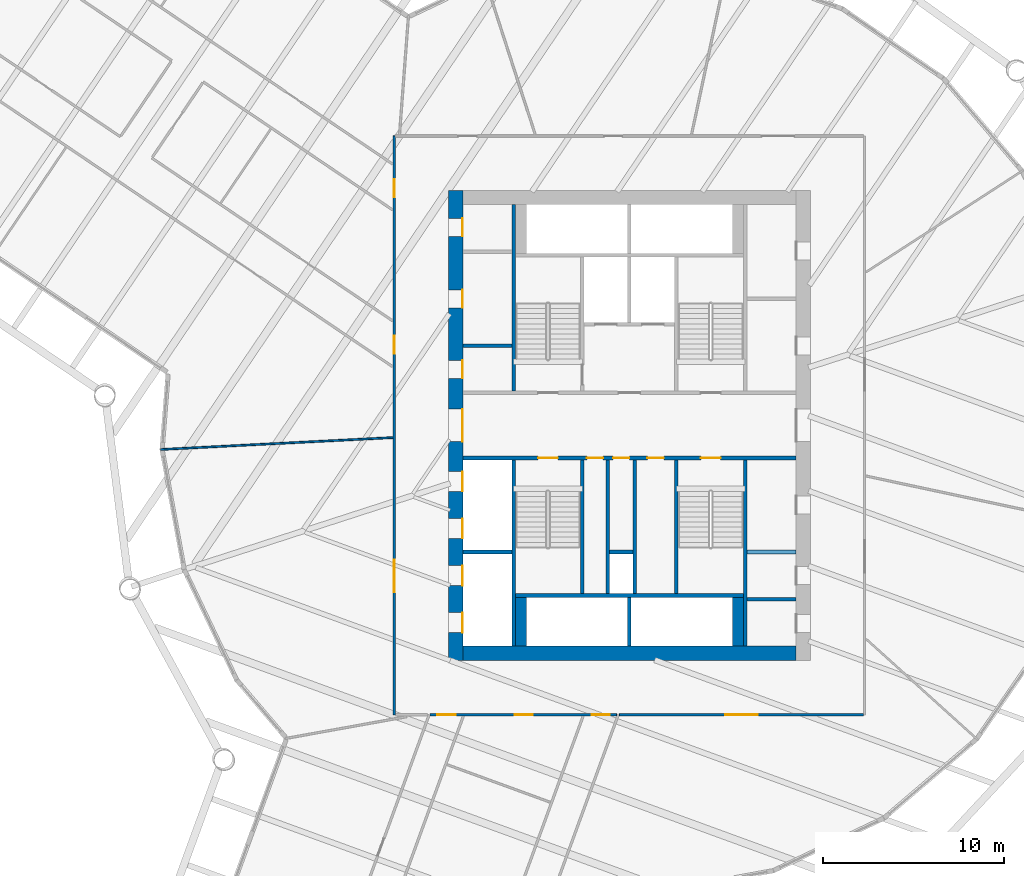
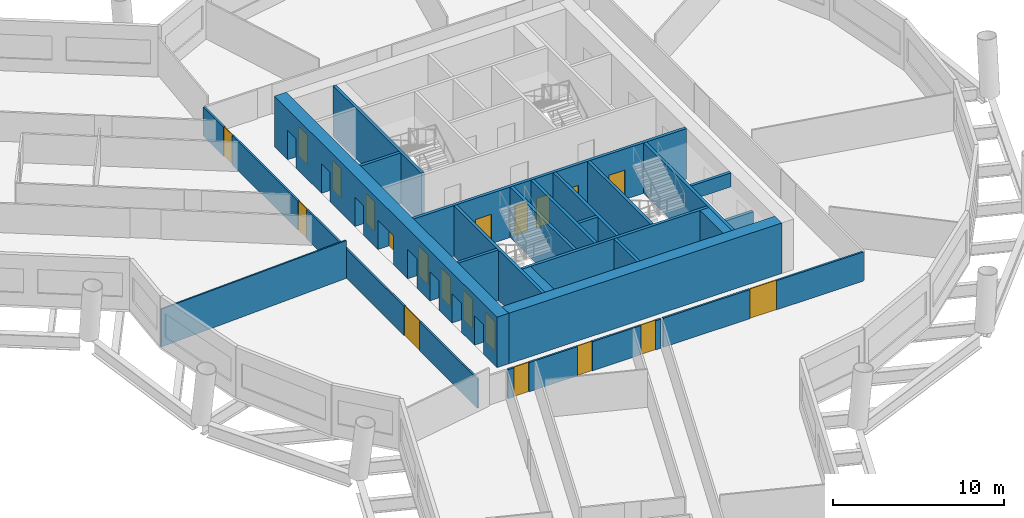
# One storey, part 4 of 13: 23 walls, 20 doors, 20 openings.
"""IFC4 building model written with IfcOpenShell, lengths in metres."""

from ifc_helpers import new_model, si_unit, direction, frame, frame_2d, origin, place, context, subcontext, project, spatial, rectangle, extrude, material, layer, layer_set, type_object, element, fill, save


model = new_model("IFC4")

# Units and contexts
model_context = context("Model", 3, precision=1e-05, world=origin(), true_north=direction((0.0, 1.0)))
body_context = subcontext(model_context, "Body", "Model", "MODEL_VIEW")
ifc_project = project(units=[si_unit("LENGTHUNIT", "METRE"), si_unit("AREAUNIT", "SQUARE_METRE"), si_unit("VOLUMEUNIT", "CUBIC_METRE"), si_unit("PLANEANGLEUNIT", "RADIAN"), si_unit("MASSUNIT", "GRAM", prefix="KILO")], contexts=[model_context])

# Site, building, storey
site_placement = place(None, origin())
site = spatial("IfcSite", under=ifc_project, at=site_placement, CompositionType="ELEMENT")
building_placement = place(site_placement, origin())
building = spatial("IfcBuilding", under=site, at=building_placement, Name="Tarsis Ring Headquarters", CompositionType="ELEMENT")
storey_placement = place(building_placement, frame((0.0, 0.0, 135.699951171875)))
storey = spatial("IfcBuildingStorey", under=building, at=storey_placement, Name="L31", CompositionType="ELEMENT", Elevation=135.699951171875)

# Walls
ifc_material_1 = material(Name="Blockwork", Category="masonry")
ifc_layer_1 = layer(ifc_material_1, 0.199951171875)
ifc_layer_set_1 = layer_set([ifc_layer_1], Name="Core blockwork wall 200")
wall_type_1 = type_object("IfcWallType", Name="Core blockwork wall 200", PredefinedType="PARTITIONING", material=ifc_layer_set_1)
wall_1_placement = place(storey_placement, frame((-9.199951171875, 4.39990234375, 0.0), z_axis=(0.0, 0.0, 1.0), x_axis=(1.0, 0.0, 0.0)))
element("IfcWall", 1, at=wall_1_placement, inside=storey, type_object=wall_type_1, Name="Core partition WD5", PredefinedType="PARTITIONING", context=body_context, shape_type="SweptSolid", body=[
    extrude(rectangle(XDim=2.699951171875, YDim=0.199951171875, at=frame_2d((1.35009765625, 0.0))), origin(), (0.0, 0.0, 1.0), 3.60009765625),
])
wall_2_placement = place(storey_placement, frame((6.5, -9.60009765625, 0.0), z_axis=(0.0, 0.0, 1.0), x_axis=(1.0, 0.0, 0.0)))
element("IfcWall", 2, at=wall_2_placement, inside=storey, type_object=wall_type_1, Name="Core partition ED1", PredefinedType="PARTITIONING", context=body_context, shape_type="SweptSolid", body=[
    extrude(rectangle(XDim=2.699951171875, YDim=0.199951171875, at=frame_2d((1.35009765625, 0.0))), origin(), (0.0, 0.0, 1.0), 2.400146484375),
])
wall_3_placement = place(storey_placement, frame((-1.10009765625, -7.0, 0.0), z_axis=(0.0, 0.0, 1.0), x_axis=(1.0, 0.0, 0.0)))
element("IfcWall", 3, at=wall_3_placement, inside=storey, type_object=wall_type_1, Name="Core partition SP2", PredefinedType="PARTITIONING", context=body_context, shape_type="SweptSolid", body=[
    extrude(rectangle(XDim=1.300048828125, YDim=0.199951171875, at=frame_2d((0.64990234375, 0.0))), origin(), (0.0, 0.0, 1.0), 3.60009765625),
])
for number, where, z_axis, x_axis, name in (
    (4, (-1.199951171875, -9.300048828125, 0.0), (0.0, 0.0, 1.0), (0.0, 1.0, 0.0), "Core partition SV1"),
    (5, (0.300048828125, -9.300048828125, 0.0), (0.0, 0.0, 1.0), (0.0, 1.0, 0.0), "Core partition SV2"),
):
    element("IfcWall", number, at=place(storey_placement, frame(where, z_axis=z_axis, x_axis=x_axis)), inside=storey, type_object=wall_type_1, Name=name, PredefinedType="PARTITIONING", context=body_context, shape_type="SweptSolid", body=[
        extrude(rectangle(XDim=7.400146484375, YDim=0.199951171875, at=frame_2d((3.7001953125, 0.0))), origin(), (0.0, 0.0, 1.0), 3.60009765625),
    ])

# Wall, openings, doors
ifc_material_2 = material(Name="Concrete C60/75", Category="concrete")
ifc_layer_2 = layer(ifc_material_2, 0.800048828125)
ifc_layer_set_2 = layer_set([ifc_layer_2], Name="Core wall 800 C60/75")
wall_type_2 = type_object("IfcWallType", Name="Core wall 800 C60/75", PredefinedType="SHEAR", material=ifc_layer_set_2)
wall_4_placement = place(storey_placement, frame((-9.60009765625, -13.0, 0.0), z_axis=(0.0, 0.0, 1.0), x_axis=(0.0, 1.0, 0.0)))
wall_4 = element("IfcWall", 6, at=wall_4_placement, inside=storey, type_object=wall_type_2, Name="Core wall OW", PredefinedType="SHEAR", context=body_context, shape_type="SweptSolid", body=[
    extrude(rectangle(XDim=26.0, YDim=0.800048828125, at=frame_2d((13.0, 0.0))), origin(), (0.0, 0.0, 1.0), 3.60009765625),
])
opening_1_placement = place(wall_4_placement, frame((1.550048828125, 0.0, 0.0)))
opening_1 = element("IfcOpeningElement", 7, at=opening_1_placement, cuts=wall_4, Name="Opening LD-LR1", PredefinedType="OPENING", context=body_context, shape_type="SweptSolid", body=[
    extrude(rectangle(XDim=1.10009765625, YDim=2.10009765625, at=frame_2d((0.550048828125, 1.050048828125))), frame((0.0, 0.409912109375, 0.0), z_axis=(0.0, -1.0, 0.0), x_axis=(1.0, 0.0, 0.0)), (0.0, 0.0, 1.0), 0.820068359375),
])
opening_2_placement = place(wall_4_placement, frame((4.14990234375, 0.0, 0.0)))
opening_2 = element("IfcOpeningElement", 8, at=opening_2_placement, cuts=wall_4, Name="Opening LD-LR2", PredefinedType="OPENING", context=body_context, shape_type="SweptSolid", body=[
    extrude(rectangle(XDim=1.10009765625, YDim=2.10009765625, at=frame_2d((0.550048828125, 1.050048828125))), frame((0.0, 0.409912109375, 0.0), z_axis=(0.0, -1.0, 0.0), x_axis=(1.0, 0.0, 0.0)), (0.0, 0.0, 1.0), 0.820068359375),
])
opening_3_placement = place(wall_4_placement, frame((6.75, 0.0, 0.0)))
opening_3 = element("IfcOpeningElement", 9, at=opening_3_placement, cuts=wall_4, Name="Opening LD-LR3", PredefinedType="OPENING", context=body_context, shape_type="SweptSolid", body=[
    extrude(rectangle(XDim=1.10009765625, YDim=2.10009765625, at=frame_2d((0.550048828125, 1.050048828125))), frame((0.0, 0.409912109375, 0.0), z_axis=(0.0, -1.0, 0.0), x_axis=(1.0, 0.0, 0.0)), (0.0, 0.0, 1.0), 0.820068359375),
])
opening_4_placement = place(wall_4_placement, frame((9.35009765625, 0.0, 0.0)))
opening_4 = element("IfcOpeningElement", 10, at=opening_4_placement, cuts=wall_4, Name="Opening LD-LR4", PredefinedType="OPENING", context=body_context, shape_type="SweptSolid", body=[
    extrude(rectangle(XDim=1.10009765625, YDim=2.10009765625, at=frame_2d((0.550048828125, 1.050048828125))), frame((0.0, 0.409912109375, 0.0), z_axis=(0.0, -1.0, 0.0), x_axis=(1.0, 0.0, 0.0)), (0.0, 0.0, 1.0), 0.820068359375),
])
opening_5_placement = place(wall_4_placement, frame((12.10009765625, 0.0, 0.0)))
opening_5 = element("IfcOpeningElement", 11, at=opening_5_placement, cuts=wall_4, Name="Opening L31-C05", PredefinedType="OPENING", context=body_context, shape_type="SweptSolid", body=[
    extrude(rectangle(XDim=1.800048828125, YDim=2.10009765625, at=frame_2d((0.89990234375, 1.050048828125))), frame((0.0, 0.409912109375, 0.0), z_axis=(0.0, -1.0, 0.0), x_axis=(1.0, 0.0, 0.0)), (0.0, 0.0, 1.0), 0.820068359375),
])
opening_6_placement = place(wall_4_placement, frame((15.60009765625, 0.0, 0.0)))
opening_6 = element("IfcOpeningElement", 12, at=opening_6_placement, cuts=wall_4, Name="Opening L31-C06", PredefinedType="OPENING", context=body_context, shape_type="SweptSolid", body=[
    extrude(rectangle(XDim=1.0, YDim=2.10009765625, at=frame_2d((0.5, 1.050048828125))), frame((0.0, 0.409912109375, 0.0), z_axis=(0.0, -1.0, 0.0), x_axis=(1.0, 0.0, 0.0)), (0.0, 0.0, 1.0), 0.820068359375),
])
opening_7_placement = place(wall_4_placement, frame((19.5, 0.0, 0.0)))
opening_7 = element("IfcOpeningElement", 13, at=opening_7_placement, cuts=wall_4, Name="Opening L31-C07", PredefinedType="OPENING", context=body_context, shape_type="SweptSolid", body=[
    extrude(rectangle(XDim=1.0, YDim=2.10009765625, at=frame_2d((0.5, 1.050048828125))), frame((0.0, 0.409912109375, 0.0), z_axis=(0.0, -1.0, 0.0), x_axis=(1.0, 0.0, 0.0)), (0.0, 0.0, 1.0), 0.820068359375),
])
opening_8_placement = place(wall_4_placement, frame((23.449951171875, 0.0, 0.0)))
opening_8 = element("IfcOpeningElement", 14, at=opening_8_placement, cuts=wall_4, Name="Opening L31-C08", PredefinedType="OPENING", context=body_context, shape_type="SweptSolid", body=[
    extrude(rectangle(XDim=1.0, YDim=2.10009765625, at=frame_2d((0.5, 1.050048828125))), frame((0.0, 0.409912109375, 0.0), z_axis=(0.0, -1.0, 0.0), x_axis=(1.0, 0.0, 0.0)), (0.0, 0.0, 1.0), 0.820068359375),
])
ifc_material_3 = material(Name="Steel S355", Category="steel")
door_type_1 = type_object("IfcDoorType", Name="Core entry door 1800x2100", OperationType="DOUBLE_DOOR_SINGLE_SWING", PredefinedType="DOOR", material=ifc_material_3)
door_1_placement = place(opening_5_placement, origin())
door_1 = element("IfcDoor", 15, at=door_1_placement, inside=storey, type_object=door_type_1, Name="Core entry door L31", OperationType="DOUBLE_DOOR_SINGLE_SWING", OverallHeight=2.10009765625, OverallWidth=1.800048828125, PredefinedType="DOOR", context=body_context, shape_type="SweptSolid", body=[
    extrude(rectangle(XDim=1.800048828125, YDim=2.10009765625, at=frame_2d((0.89990234375, 1.050048828125))), frame((0.0, -0.35009765625, 0.0), z_axis=(0.0, -1.0, 0.0), x_axis=(1.0, 0.0, 0.0)), (0.0, 0.0, 1.0), 0.050048828125),
])
fill(opening_5, door_1)
door_type_2 = type_object("IfcDoorType", Name="Core room door 1000x2100", OperationType="SINGLE_SWING_LEFT", PredefinedType="DOOR", material=ifc_material_3)
door_2_placement = place(opening_6_placement, origin())
door_2 = element("IfcDoor", 16, at=door_2_placement, inside=storey, type_object=door_type_2, Name="Core room door L31", OperationType="SINGLE_SWING_LEFT", OverallHeight=2.10009765625, OverallWidth=1.0, PredefinedType="DOOR", context=body_context, shape_type="SweptSolid", body=[
    extrude(rectangle(XDim=1.0, YDim=2.10009765625, at=frame_2d((0.5, 1.050048828125))), frame((0.0, -0.35009765625, 0.0), z_axis=(0.0, -1.0, 0.0), x_axis=(1.0, 0.0, 0.0)), (0.0, 0.0, 1.0), 0.050048828125),
])
fill(opening_6, door_2)
door_3_placement = place(opening_7_placement, origin())
door_3 = element("IfcDoor", 17, at=door_3_placement, inside=storey, type_object=door_type_2, Name="Core room door L31", OperationType="SINGLE_SWING_LEFT", OverallHeight=2.10009765625, OverallWidth=1.0, PredefinedType="DOOR", context=body_context, shape_type="SweptSolid", body=[
    extrude(rectangle(XDim=1.0, YDim=2.10009765625, at=frame_2d((0.5, 1.050048828125))), frame((0.0, -0.35009765625, 0.0), z_axis=(0.0, -1.0, 0.0), x_axis=(1.0, 0.0, 0.0)), (0.0, 0.0, 1.0), 0.050048828125),
])
fill(opening_7, door_3)
door_4_placement = place(opening_8_placement, origin())
door_4 = element("IfcDoor", 18, at=door_4_placement, inside=storey, type_object=door_type_2, Name="Core room door L31", OperationType="SINGLE_SWING_LEFT", OverallHeight=2.10009765625, OverallWidth=1.0, PredefinedType="DOOR", context=body_context, shape_type="SweptSolid", body=[
    extrude(rectangle(XDim=1.0, YDim=2.10009765625, at=frame_2d((0.5, 1.050048828125))), frame((0.0, -0.35009765625, 0.0), z_axis=(0.0, -1.0, 0.0), x_axis=(1.0, 0.0, 0.0)), (0.0, 0.0, 1.0), 0.050048828125),
])
fill(opening_8, door_4)
door_type_3 = type_object("IfcDoorType", Name="Landing door 1100x2100", OperationType="SLIDING_TO_LEFT", PredefinedType="DOOR", material=ifc_material_3)
door_5_placement = place(opening_1_placement, origin())
door_5 = element("IfcDoor", 19, at=door_5_placement, inside=storey, type_object=door_type_3, Name="Landing door LR1 L31", OperationType="SLIDING_TO_LEFT", OverallHeight=2.10009765625, OverallWidth=1.10009765625, PredefinedType="DOOR", context=body_context, shape_type="SweptSolid", body=[
    extrude(rectangle(XDim=1.10009765625, YDim=2.10009765625, at=frame_2d((0.550048828125, 1.050048828125))), frame((0.0, -0.35009765625, 0.0), z_axis=(0.0, -1.0, 0.0), x_axis=(1.0, 0.0, 0.0)), (0.0, 0.0, 1.0), 0.050048828125),
])
fill(opening_1, door_5)
door_6_placement = place(opening_2_placement, origin())
door_6 = element("IfcDoor", 20, at=door_6_placement, inside=storey, type_object=door_type_3, Name="Landing door LR2 L31", OperationType="SLIDING_TO_LEFT", OverallHeight=2.10009765625, OverallWidth=1.10009765625, PredefinedType="DOOR", context=body_context, shape_type="SweptSolid", body=[
    extrude(rectangle(XDim=1.10009765625, YDim=2.10009765625, at=frame_2d((0.550048828125, 1.050048828125))), frame((0.0, -0.35009765625, 0.0), z_axis=(0.0, -1.0, 0.0), x_axis=(1.0, 0.0, 0.0)), (0.0, 0.0, 1.0), 0.050048828125),
])
fill(opening_2, door_6)
door_7_placement = place(opening_3_placement, origin())
door_7 = element("IfcDoor", 21, at=door_7_placement, inside=storey, type_object=door_type_3, Name="Landing door LR3 L31", OperationType="SLIDING_TO_LEFT", OverallHeight=2.10009765625, OverallWidth=1.10009765625, PredefinedType="DOOR", context=body_context, shape_type="SweptSolid", body=[
    extrude(rectangle(XDim=1.10009765625, YDim=2.10009765625, at=frame_2d((0.550048828125, 1.050048828125))), frame((0.0, -0.35009765625, 0.0), z_axis=(0.0, -1.0, 0.0), x_axis=(1.0, 0.0, 0.0)), (0.0, 0.0, 1.0), 0.050048828125),
])
fill(opening_3, door_7)
door_8_placement = place(opening_4_placement, origin())
door_8 = element("IfcDoor", 22, at=door_8_placement, inside=storey, type_object=door_type_3, Name="Landing door LR4 L31", OperationType="SLIDING_TO_LEFT", OverallHeight=2.10009765625, OverallWidth=1.10009765625, PredefinedType="DOOR", context=body_context, shape_type="SweptSolid", body=[
    extrude(rectangle(XDim=1.10009765625, YDim=2.10009765625, at=frame_2d((0.550048828125, 1.050048828125))), frame((0.0, -0.35009765625, 0.0), z_axis=(0.0, -1.0, 0.0), x_axis=(1.0, 0.0, 0.0)), (0.0, 0.0, 1.0), 0.050048828125),
])
fill(opening_4, door_8)

# Walls
wall_5_placement = place(storey_placement, frame((-9.199951171875, -12.60009765625, 0.0), z_axis=(0.0, 0.0, 1.0), x_axis=(1.0, 0.0, 0.0)))
element("IfcWall", 23, at=wall_5_placement, inside=storey, type_object=wall_type_2, Name="Core wall OS", PredefinedType="SHEAR", context=body_context, shape_type="SweptSolid", body=[
    extrude(rectangle(XDim=18.39990234375, YDim=0.800048828125, at=frame_2d((9.199951171875, 0.0))), origin(), (0.0, 0.0, 1.0), 3.60009765625),
])
ifc_material_4 = material(Name="Gypsum board on steel studs", Category="steel")
ifc_layer_3 = layer(ifc_material_4, 0.10009765625)
ifc_layer_set_3 = layer_set([ifc_layer_3], Name="FL partition 100 unrated")
wall_type_3 = type_object("IfcWallType", Name="FL partition 100 unrated", PredefinedType="PARTITIONING", material=ifc_layer_set_3)
wall_6_placement = place(storey_placement, frame((-25.913818359375, -1.330810546875, 0.0), z_axis=(0.0, 0.0, 1.0), x_axis=(0.99868367711, 0.051292427067, 0.0)))
element("IfcWall", 24, at=wall_6_placement, inside=storey, type_object=wall_type_3, Name="Partition PW3", PredefinedType="PARTITIONING", context=body_context, shape_type="SweptSolid", body=[
    extrude(rectangle(XDim=12.86083984375, YDim=0.10009765625, at=frame_2d((6.430419921875, 0.0))), origin(), (0.0, 0.0, 1.0), 2.699951171875),
])

# Wall, openings, doors
ifc_layer_4 = layer(ifc_material_4, 0.125)
ifc_layer_set_4 = layer_set([ifc_layer_4], Name="FL partition 125 EI 60 H2080")
wall_type_4 = type_object("IfcWallType", Name="FL partition 125 EI 60 H2080", PredefinedType="PARTITIONING", material=ifc_layer_set_4)
wall_7_placement = place(storey_placement, frame((-13.0, -16.0, 0.0), z_axis=(0.0, 0.0, 1.0), x_axis=(0.0, 1.0, 0.0)))
wall_7 = element("IfcWall", 25, at=wall_7_placement, inside=storey, type_object=wall_type_4, Name="Partition PW1H208", PredefinedType="PARTITIONING", context=body_context, shape_type="SweptSolid", body=[
    extrude(rectangle(XDim=32.0, YDim=0.125, at=frame_2d((16.0, 0.0))), origin(), (0.0, 0.0, 1.0), 2.080078125),
])
opening_9_placement = place(wall_7_placement, frame((6.76611328125, 0.0, 0.0)))
opening_9 = element("IfcOpeningElement", 26, at=opening_9_placement, cuts=wall_7, Name="Opening D31.12", PredefinedType="OPENING", context=body_context, shape_type="SweptSolid", body=[
    extrude(rectangle(XDim=1.800048828125, YDim=2.10009765625, at=frame_2d((0.89990234375, 1.050048828125))), frame((0.0, 0.072509765625, 0.0), z_axis=(0.0, -1.0, 0.0), x_axis=(1.0, 0.0, 0.0)), (0.0, 0.0, 1.0), 0.14501953125),
])
opening_10_placement = place(wall_7_placement, frame((19.955078125, 0.0, 0.0)))
opening_10 = element("IfcOpeningElement", 27, at=opening_10_placement, cuts=wall_7, Name="Opening D31.21", PredefinedType="OPENING", context=body_context, shape_type="SweptSolid", body=[
    extrude(rectangle(XDim=1.0, YDim=2.10009765625, at=frame_2d((0.5, 1.050048828125))), frame((0.0, 0.072509765625, 0.0), z_axis=(0.0, -1.0, 0.0), x_axis=(1.0, 0.0, 0.0)), (0.0, 0.0, 1.0), 0.14501953125),
])
opening_11_placement = place(wall_7_placement, frame((28.621826171875, 0.0, 0.0)))
opening_11 = element("IfcOpeningElement", 28, at=opening_11_placement, cuts=wall_7, Name="Opening D31.22", PredefinedType="OPENING", context=body_context, shape_type="SweptSolid", body=[
    extrude(rectangle(XDim=1.0, YDim=2.10009765625, at=frame_2d((0.5, 1.050048828125))), frame((0.0, 0.072509765625, 0.0), z_axis=(0.0, -1.0, 0.0), x_axis=(1.0, 0.0, 0.0)), (0.0, 0.0, 1.0), 0.14501953125),
])
ifc_material_5 = material(Name="Fire-rated timber door leaf in steel frame", Category="steel")
door_type_4 = type_object("IfcDoorType", Name="FL door FD60-1000", OperationType="NOTDEFINED", PredefinedType="DOOR", material=ifc_material_5)
door_9_placement = place(opening_10_placement, origin())
door_9 = element("IfcDoor", 29, at=door_9_placement, inside=storey, type_object=door_type_4, Name="Door D31.21", OperationType="SINGLE_SWING_RIGHT", OverallHeight=2.10009765625, OverallWidth=1.0, PredefinedType="DOOR", context=body_context, shape_type="SweptSolid", body=[
    extrude(rectangle(XDim=1.0, YDim=2.10009765625, at=frame_2d((0.5, 1.050048828125))), frame((0.0, 0.02490234375, 0.0), z_axis=(0.0, -1.0, 0.0), x_axis=(1.0, 0.0, 0.0)), (0.0, 0.0, 1.0), 0.050048828125),
])
fill(opening_10, door_9)
door_10_placement = place(opening_11_placement, origin())
door_10 = element("IfcDoor", 30, at=door_10_placement, inside=storey, type_object=door_type_4, Name="Door D31.22", OperationType="SINGLE_SWING_LEFT", OverallHeight=2.10009765625, OverallWidth=1.0, PredefinedType="DOOR", context=body_context, shape_type="SweptSolid", body=[
    extrude(rectangle(XDim=1.0, YDim=2.10009765625, at=frame_2d((0.5, 1.050048828125))), frame((0.0, 0.02490234375, 0.0), z_axis=(0.0, -1.0, 0.0), x_axis=(1.0, 0.0, 0.0)), (0.0, 0.0, 1.0), 0.050048828125),
])
fill(opening_11, door_10)
door_type_5 = type_object("IfcDoorType", Name="FL door FD60-1800", OperationType="DOUBLE_DOOR_SINGLE_SWING", PredefinedType="DOOR", material=ifc_material_5)
door_11_placement = place(opening_9_placement, origin())
door_11 = element("IfcDoor", 31, at=door_11_placement, inside=storey, type_object=door_type_5, Name="Door D31.12", OperationType="DOUBLE_DOOR_SINGLE_SWING", OverallHeight=2.10009765625, OverallWidth=1.800048828125, PredefinedType="DOOR", context=body_context, shape_type="SweptSolid", body=[
    extrude(rectangle(XDim=1.800048828125, YDim=2.10009765625, at=frame_2d((0.89990234375, 1.050048828125))), frame((0.0, 0.02490234375, 0.0), z_axis=(0.0, -1.0, 0.0), x_axis=(1.0, 0.0, 0.0)), (0.0, 0.0, 1.0), 0.050048828125),
])
fill(opening_9, door_11)

wall_8_placement = place(storey_placement, frame((-11.010986328125, -16.0, 0.0), z_axis=(0.0, 0.0, 1.0), x_axis=(1.0, 0.0, 0.0)))
wall_8 = element("IfcWall", 32, at=wall_8_placement, inside=storey, type_object=wall_type_4, Name="Partition PW1H208", PredefinedType="PARTITIONING", context=body_context, shape_type="SweptSolid", body=[
    extrude(rectangle(XDim=10.30615234375, YDim=0.125, at=frame_2d((5.153076171875, 0.0))), origin(), (0.0, 0.0, 1.0), 2.080078125),
])
opening_12_placement = place(wall_8_placement, frame((4.66845703125, 0.0, 0.0)))
opening_12 = element("IfcOpeningElement", 33, at=opening_12_placement, cuts=wall_8, Name="Opening D31.16", PredefinedType="OPENING", context=body_context, shape_type="SweptSolid", body=[
    extrude(rectangle(XDim=1.0, YDim=2.10009765625, at=frame_2d((0.5, 1.050048828125))), frame((0.0, 0.072509765625, 0.0), z_axis=(0.0, -1.0, 0.0), x_axis=(1.0, 0.0, 0.0)), (0.0, 0.0, 1.0), 0.14501953125),
])
opening_13_placement = place(wall_8_placement, frame((0.3994140625, 0.0, 0.0)))
opening_13 = element("IfcOpeningElement", 34, at=opening_13_placement, cuts=wall_8, Name="Opening D31.19", PredefinedType="OPENING", context=body_context, shape_type="SweptSolid", body=[
    extrude(rectangle(XDim=1.0, YDim=2.10009765625, at=frame_2d((0.5, 1.050048828125))), frame((0.0, 0.072509765625, 0.0), z_axis=(0.0, -1.0, 0.0), x_axis=(1.0, 0.0, 0.0)), (0.0, 0.0, 1.0), 0.14501953125),
])
opening_14_placement = place(wall_8_placement, frame((8.9375, 0.0, 0.0)))
opening_14 = element("IfcOpeningElement", 35, at=opening_14_placement, cuts=wall_8, Name="Opening D31.20", PredefinedType="OPENING", context=body_context, shape_type="SweptSolid", body=[
    extrude(rectangle(XDim=1.0, YDim=2.10009765625, at=frame_2d((0.5, 1.050048828125))), frame((0.0, 0.072509765625, 0.0), z_axis=(0.0, -1.0, 0.0), x_axis=(1.0, 0.0, 0.0)), (0.0, 0.0, 1.0), 0.14501953125),
])
door_12_placement = place(opening_12_placement, origin())
door_12 = element("IfcDoor", 36, at=door_12_placement, inside=storey, type_object=door_type_4, Name="Door D31.16", OperationType="SINGLE_SWING_LEFT", OverallHeight=2.10009765625, OverallWidth=1.0, PredefinedType="DOOR", context=body_context, shape_type="SweptSolid", body=[
    extrude(rectangle(XDim=1.0, YDim=2.10009765625, at=frame_2d((0.5, 1.050048828125))), frame((0.0, 0.02490234375, 0.0), z_axis=(0.0, -1.0, 0.0), x_axis=(1.0, 0.0, 0.0)), (0.0, 0.0, 1.0), 0.050048828125),
])
fill(opening_12, door_12)
door_13_placement = place(opening_13_placement, origin())
door_13 = element("IfcDoor", 37, at=door_13_placement, inside=storey, type_object=door_type_4, Name="Door D31.19", OperationType="SINGLE_SWING_RIGHT", OverallHeight=2.10009765625, OverallWidth=1.0, PredefinedType="DOOR", context=body_context, shape_type="SweptSolid", body=[
    extrude(rectangle(XDim=1.0, YDim=2.10009765625, at=frame_2d((0.5, 1.050048828125))), frame((0.0, 0.02490234375, 0.0), z_axis=(0.0, -1.0, 0.0), x_axis=(1.0, 0.0, 0.0)), (0.0, 0.0, 1.0), 0.050048828125),
])
fill(opening_13, door_13)
door_14_placement = place(opening_14_placement, origin())
door_14 = element("IfcDoor", 38, at=door_14_placement, inside=storey, type_object=door_type_4, Name="Door D31.20", OperationType="SINGLE_SWING_LEFT", OverallHeight=2.10009765625, OverallWidth=1.0, PredefinedType="DOOR", context=body_context, shape_type="SweptSolid", body=[
    extrude(rectangle(XDim=1.0, YDim=2.10009765625, at=frame_2d((0.5, 1.050048828125))), frame((0.0, 0.02490234375, 0.0), z_axis=(0.0, -1.0, 0.0), x_axis=(1.0, 0.0, 0.0)), (0.0, 0.0, 1.0), 0.050048828125),
])
fill(opening_14, door_14)

# Wall, opening, door
wall_9_placement = place(storey_placement, frame((-0.556640625, -16.0, 0.0), z_axis=(0.0, 0.0, 1.0), x_axis=(1.0, 0.0, 0.0)))
wall_9 = element("IfcWall", 39, at=wall_9_placement, inside=storey, type_object=wall_type_4, Name="Partition PW1H208", PredefinedType="PARTITIONING", context=body_context, shape_type="SweptSolid", body=[
    extrude(rectangle(XDim=13.49462890625, YDim=0.125, at=frame_2d((6.747314453125, 0.0))), origin(), (0.0, 0.0, 1.0), 2.080078125),
])
opening_15_placement = place(wall_9_placement, frame((5.847900390625, 0.0, 0.0)))
opening_15 = element("IfcOpeningElement", 40, at=opening_15_placement, cuts=wall_9, Name="Opening D31.09", PredefinedType="OPENING", context=body_context, shape_type="SweptSolid", body=[
    extrude(rectangle(XDim=1.800048828125, YDim=2.10009765625, at=frame_2d((0.89990234375, 1.050048828125))), frame((0.0, 0.072509765625, 0.0), z_axis=(0.0, -1.0, 0.0), x_axis=(1.0, 0.0, 0.0)), (0.0, 0.0, 1.0), 0.14501953125),
])
door_15_placement = place(opening_15_placement, origin())
door_15 = element("IfcDoor", 41, at=door_15_placement, inside=storey, type_object=door_type_5, Name="Door D31.09", OperationType="DOUBLE_DOOR_SINGLE_SWING", OverallHeight=2.10009765625, OverallWidth=1.800048828125, PredefinedType="DOOR", context=body_context, shape_type="SweptSolid", body=[
    extrude(rectangle(XDim=1.800048828125, YDim=2.10009765625, at=frame_2d((0.89990234375, 1.050048828125))), frame((0.0, 0.02490234375, 0.0), z_axis=(0.0, -1.0, 0.0), x_axis=(1.0, 0.0, 0.0)), (0.0, 0.0, 1.0), 0.050048828125),
])
fill(opening_15, door_15)

# Walls
ifc_material_6 = material(Name="Concrete C32/40", Category="concrete")
ifc_layer_5 = layer(ifc_material_6, 0.60009765625)
ifc_layer_set_5 = layer_set([ifc_layer_5], Name="Shaft end wall 600 C32/40")
wall_type_5 = type_object("IfcWallType", Name="Shaft end wall 600 C32/40", PredefinedType="SOLIDWALL", material=ifc_layer_set_5)
for number, where, z_axis, x_axis, name in (
    (42, (-6.0, -12.199951171875, 0.0), (0.0, 0.0, 1.0), (0.0, 1.0, 0.0), "Core shaft wall SNE1"),
    (43, (6.0, -12.199951171875, 0.0), (0.0, 0.0, 1.0), (0.0, 1.0, 0.0), "Core shaft wall SNE2"),
):
    element("IfcWall", number, at=place(storey_placement, frame(where, z_axis=z_axis, x_axis=x_axis)), inside=storey, type_object=wall_type_5, Name=name, PredefinedType="SOLIDWALL", context=body_context, shape_type="SweptSolid", body=[
        extrude(rectangle(XDim=2.699951171875, YDim=0.60009765625, at=frame_2d((1.35009765625, 0.0))), origin(), (0.0, 0.0, 1.0), 3.60009765625),
    ])

# Wall, openings, doors
ifc_layer_6 = layer(ifc_material_6, 0.199951171875)
ifc_layer_set_6 = layer_set([ifc_layer_6], Name="Shaft wall 200 C32/40")
wall_type_6 = type_object("IfcWallType", Name="Shaft wall 200 C32/40", PredefinedType="SOLIDWALL", material=ifc_layer_set_6)
wall_10_placement = place(storey_placement, frame((-9.199951171875, -1.800048828125, 0.0), z_axis=(0.0, 0.0, 1.0), x_axis=(1.0, 0.0, 0.0)))
wall_10 = element("IfcWall", 44, at=wall_10_placement, inside=storey, type_object=wall_type_6, Name="Core shaft wall CS", PredefinedType="SOLIDWALL", context=body_context, shape_type="SweptSolid", body=[
    extrude(rectangle(XDim=18.39990234375, YDim=0.199951171875, at=frame_2d((9.199951171875, 0.0))), origin(), (0.0, 0.0, 1.0), 3.60009765625),
])
opening_16_placement = place(wall_10_placement, frame((4.14990234375, 0.0, 0.0)))
opening_16 = element("IfcOpeningElement", 45, at=opening_16_placement, cuts=wall_10, Name="Opening L31-C18", PredefinedType="OPENING", context=body_context, shape_type="SweptSolid", body=[
    extrude(rectangle(XDim=1.10009765625, YDim=2.10009765625, at=frame_2d((0.550048828125, 1.050048828125))), frame((0.0, 0.10986328125, 0.0), z_axis=(0.0, -1.0, 0.0), x_axis=(1.0, 0.0, 0.0)), (0.0, 0.0, 1.0), 0.219970703125),
])
opening_17_placement = place(wall_10_placement, frame((6.85009765625, 0.0, 0.0)))
opening_17 = element("IfcOpeningElement", 46, at=opening_17_placement, cuts=wall_10, Name="Opening L31-C19", PredefinedType="OPENING", context=body_context, shape_type="SweptSolid", body=[
    extrude(rectangle(XDim=0.89990234375, YDim=2.10009765625, at=frame_2d((0.449951171875, 1.050048828125))), frame((0.0, 0.10986328125, 0.0), z_axis=(0.0, -1.0, 0.0), x_axis=(1.0, 0.0, 0.0)), (0.0, 0.0, 1.0), 0.219970703125),
])
opening_18_placement = place(wall_10_placement, frame((8.300048828125, 0.0, 0.0)))
opening_18 = element("IfcOpeningElement", 47, at=opening_18_placement, cuts=wall_10, Name="Opening L31-C20", PredefinedType="OPENING", context=body_context, shape_type="SweptSolid", body=[
    extrude(rectangle(XDim=0.89990234375, YDim=2.10009765625, at=frame_2d((0.449951171875, 1.050048828125))), frame((0.0, 0.10986328125, 0.0), z_axis=(0.0, -1.0, 0.0), x_axis=(1.0, 0.0, 0.0)), (0.0, 0.0, 1.0), 0.219970703125),
])
opening_19_placement = place(wall_10_placement, frame((10.199951171875, 0.0, 0.0)))
opening_19 = element("IfcOpeningElement", 48, at=opening_19_placement, cuts=wall_10, Name="Opening L31-C21", PredefinedType="OPENING", context=body_context, shape_type="SweptSolid", body=[
    extrude(rectangle(XDim=0.89990234375, YDim=2.10009765625, at=frame_2d((0.449951171875, 1.050048828125))), frame((0.0, 0.10986328125, 0.0), z_axis=(0.0, -1.0, 0.0), x_axis=(1.0, 0.0, 0.0)), (0.0, 0.0, 1.0), 0.219970703125),
])
opening_20_placement = place(wall_10_placement, frame((13.14990234375, 0.0, 0.0)))
opening_20 = element("IfcOpeningElement", 49, at=opening_20_placement, cuts=wall_10, Name="Opening L31-C22", PredefinedType="OPENING", context=body_context, shape_type="SweptSolid", body=[
    extrude(rectangle(XDim=1.10009765625, YDim=2.10009765625, at=frame_2d((0.550048828125, 1.050048828125))), frame((0.0, 0.10986328125, 0.0), z_axis=(0.0, -1.0, 0.0), x_axis=(1.0, 0.0, 0.0)), (0.0, 0.0, 1.0), 0.219970703125),
])
door_type_6 = type_object("IfcDoorType", Name="Stair door 1100x2100", OperationType="SINGLE_SWING_LEFT", PredefinedType="DOOR", material=ifc_material_3)
door_16_placement = place(opening_16_placement, origin())
door_16 = element("IfcDoor", 50, at=door_16_placement, inside=storey, type_object=door_type_6, Name="Stair door L31", OperationType="SINGLE_SWING_LEFT", OverallHeight=2.10009765625, OverallWidth=1.10009765625, PredefinedType="DOOR", context=body_context, shape_type="SweptSolid", body=[
    extrude(rectangle(XDim=1.10009765625, YDim=2.10009765625, at=frame_2d((0.550048828125, 1.050048828125))), frame((0.0, 0.02490234375, 0.0), z_axis=(0.0, -1.0, 0.0), x_axis=(1.0, 0.0, 0.0)), (0.0, 0.0, 1.0), 0.050048828125),
])
fill(opening_16, door_16)
door_17_placement = place(opening_20_placement, origin())
door_17 = element("IfcDoor", 51, at=door_17_placement, inside=storey, type_object=door_type_6, Name="Stair door L31", OperationType="SINGLE_SWING_LEFT", OverallHeight=2.10009765625, OverallWidth=1.10009765625, PredefinedType="DOOR", context=body_context, shape_type="SweptSolid", body=[
    extrude(rectangle(XDim=1.10009765625, YDim=2.10009765625, at=frame_2d((0.550048828125, 1.050048828125))), frame((0.0, 0.02490234375, 0.0), z_axis=(0.0, -1.0, 0.0), x_axis=(1.0, 0.0, 0.0)), (0.0, 0.0, 1.0), 0.050048828125),
])
fill(opening_20, door_17)
door_type_7 = type_object("IfcDoorType", Name="WC door 900x2100", OperationType="SINGLE_SWING_LEFT", PredefinedType="DOOR", material=ifc_material_3)
door_18_placement = place(opening_17_placement, origin())
door_18 = element("IfcDoor", 52, at=door_18_placement, inside=storey, type_object=door_type_7, Name="WC door L31", OperationType="SINGLE_SWING_LEFT", OverallHeight=2.10009765625, OverallWidth=0.89990234375, PredefinedType="DOOR", context=body_context, shape_type="SweptSolid", body=[
    extrude(rectangle(XDim=0.89990234375, YDim=2.10009765625, at=frame_2d((0.449951171875, 1.050048828125))), frame((0.0, 0.02490234375, 0.0), z_axis=(0.0, -1.0, 0.0), x_axis=(1.0, 0.0, 0.0)), (0.0, 0.0, 1.0), 0.050048828125),
])
fill(opening_17, door_18)
door_19_placement = place(opening_18_placement, origin())
door_19 = element("IfcDoor", 53, at=door_19_placement, inside=storey, type_object=door_type_7, Name="WC door L31", OperationType="SINGLE_SWING_LEFT", OverallHeight=2.10009765625, OverallWidth=0.89990234375, PredefinedType="DOOR", context=body_context, shape_type="SweptSolid", body=[
    extrude(rectangle(XDim=0.89990234375, YDim=2.10009765625, at=frame_2d((0.449951171875, 1.050048828125))), frame((0.0, 0.02490234375, 0.0), z_axis=(0.0, -1.0, 0.0), x_axis=(1.0, 0.0, 0.0)), (0.0, 0.0, 1.0), 0.050048828125),
])
fill(opening_18, door_19)
door_20_placement = place(opening_19_placement, origin())
door_20 = element("IfcDoor", 54, at=door_20_placement, inside=storey, type_object=door_type_7, Name="WC door L31", OperationType="SINGLE_SWING_LEFT", OverallHeight=2.10009765625, OverallWidth=0.89990234375, PredefinedType="DOOR", context=body_context, shape_type="SweptSolid", body=[
    extrude(rectangle(XDim=0.89990234375, YDim=2.10009765625, at=frame_2d((0.449951171875, 1.050048828125))), frame((0.0, 0.02490234375, 0.0), z_axis=(0.0, -1.0, 0.0), x_axis=(1.0, 0.0, 0.0)), (0.0, 0.0, 1.0), 0.050048828125),
])
fill(opening_19, door_20)

# Walls
for number, where, z_axis, x_axis, name in (
    (55, (-6.39990234375, -12.199951171875, 0.0), (0.0, 0.0, 1.0), (0.0, 1.0, 0.0), "Core shaft wall WB1"),
    (56, (-6.39990234375, 1.89990234375, 0.0), (0.0, 0.0, 1.0), (0.0, 1.0, 0.0), "Core shaft wall WB2"),
    (57, (6.39990234375, -12.199951171875, 0.0), (0.0, 0.0, 1.0), (0.0, 1.0, 0.0), "Core shaft wall EB1"),
):
    element("IfcWall", number, at=place(storey_placement, frame(where, z_axis=z_axis, x_axis=x_axis)), inside=storey, type_object=wall_type_6, Name=name, PredefinedType="SOLIDWALL", context=body_context, shape_type="SweptSolid", body=[
        extrude(rectangle(XDim=10.300048828125, YDim=0.199951171875, at=frame_2d((5.14990234375, 0.0))), origin(), (0.0, 0.0, 1.0), 3.60009765625),
    ])
wall_11_placement = place(storey_placement, frame((-6.300048828125, -9.39990234375, 0.0), z_axis=(0.0, 0.0, 1.0), x_axis=(1.0, 0.0, 0.0)))
element("IfcWall", 58, at=wall_11_placement, inside=storey, type_object=wall_type_6, Name="Core shaft wall SB", PredefinedType="SOLIDWALL", context=body_context, shape_type="SweptSolid", body=[
    extrude(rectangle(XDim=12.60009765625, YDim=0.199951171875, at=frame_2d((6.300048828125, 0.0))), origin(), (0.0, 0.0, 1.0), 3.60009765625),
])
for number, where, z_axis, x_axis, name in (
    (59, (-2.60009765625, -9.300048828125, 0.0), (0.0, 0.0, 1.0), (0.0, 1.0, 0.0), "Core shaft wall SW3"),
    (60, (2.60009765625, -9.300048828125, 0.0), (0.0, 0.0, 1.0), (0.0, 1.0, 0.0), "Core shaft wall SW4"),
):
    element("IfcWall", number, at=place(storey_placement, frame(where, z_axis=z_axis, x_axis=x_axis)), inside=storey, type_object=wall_type_6, Name=name, PredefinedType="SOLIDWALL", context=body_context, shape_type="SweptSolid", body=[
        extrude(rectangle(XDim=7.400146484375, YDim=0.199951171875, at=frame_2d((3.7001953125, 0.0))), origin(), (0.0, 0.0, 1.0), 3.60009765625),
    ])
wall_12_placement = place(storey_placement, frame((-9.199951171875, -7.0, 0.0), z_axis=(0.0, 0.0, 1.0), x_axis=(1.0, 0.0, 0.0)))
element("IfcWall", 61, at=wall_12_placement, inside=storey, type_object=wall_type_6, Name="Core shaft wall WD2", PredefinedType="SOLIDWALL", context=body_context, shape_type="SweptSolid", body=[
    extrude(rectangle(XDim=2.699951171875, YDim=0.199951171875, at=frame_2d((1.35009765625, 0.0))), origin(), (0.0, 0.0, 1.0), 3.60009765625),
])
wall_13_placement = place(storey_placement, frame((6.5, -7.0, 2.60009765625), z_axis=(0.0, 0.0, 1.0), x_axis=(1.0, 0.0, 0.0)))
element("IfcWall", 62, at=wall_13_placement, inside=storey, type_object=wall_type_6, Name="Core shaft wall ED2", PredefinedType="SOLIDWALL", context=body_context, shape_type="SweptSolid", body=[
    extrude(rectangle(XDim=2.699951171875, YDim=0.199951171875, at=frame_2d((1.35009765625, 0.0))), origin(), (0.0, 0.0, 1.0), 1.0),
])
wall_14_placement = place(storey_placement, frame((0.0, -12.199951171875, 0.0), z_axis=(0.0, 0.0, 1.0), x_axis=(0.0, 1.0, 0.0)))
element("IfcWall", 63, at=wall_14_placement, inside=storey, type_object=wall_type_6, Name="Core shaft wall SD2", PredefinedType="SOLIDWALL", context=body_context, shape_type="SweptSolid", body=[
    extrude(rectangle(XDim=2.699951171875, YDim=0.199951171875, at=frame_2d((1.35009765625, 0.0))), origin(), (0.0, 0.0, 1.0), 3.60009765625),
])

save(model, "model.ifc")
